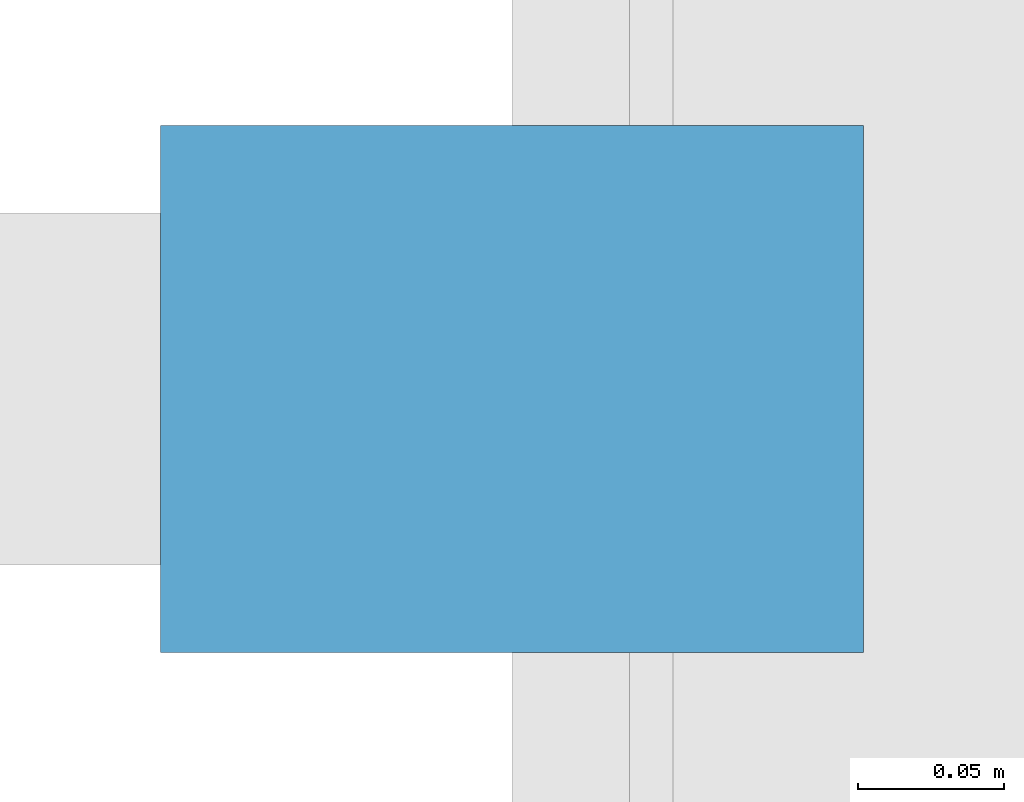
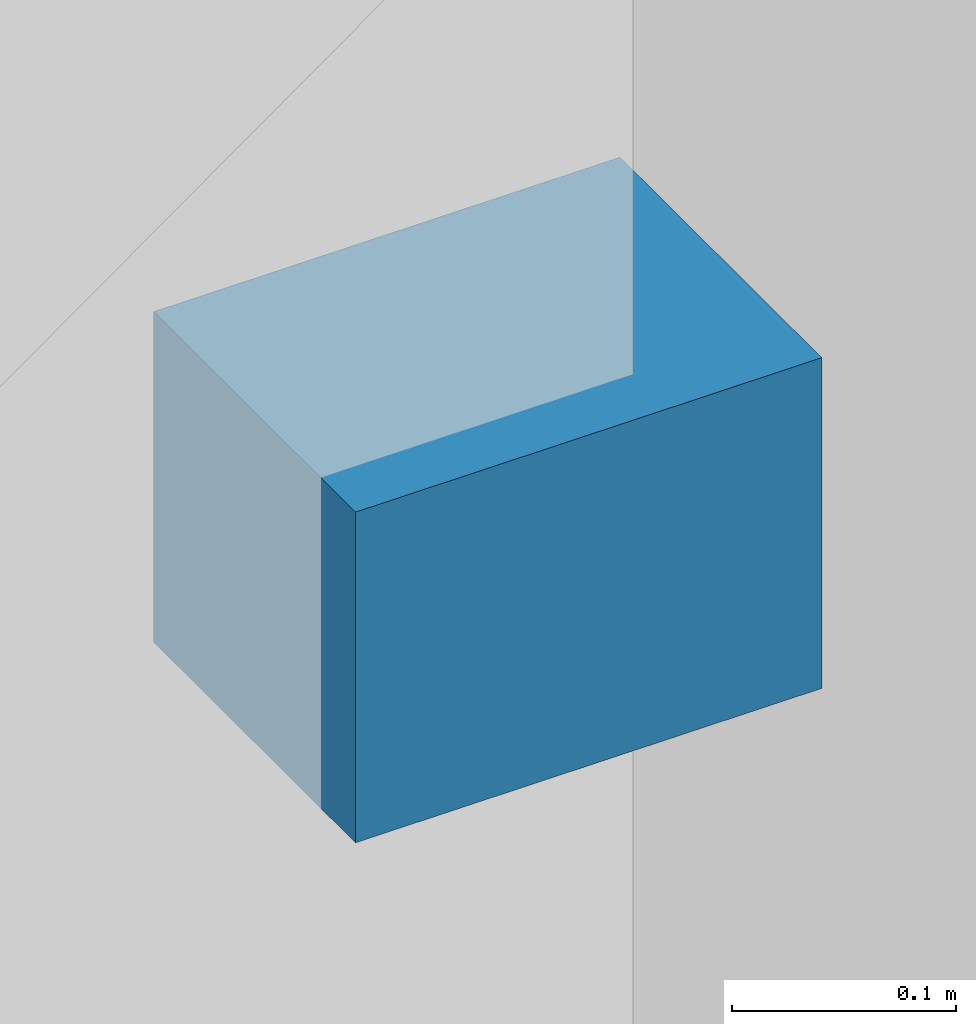
# One storey, part 76 of 99: 1 discrete accessory.
"""IFC4 building model written with IfcOpenShell, lengths in metres."""

from ifc_helpers import new_model, si_unit, direction, frame, origin, origin_2d, place, context, subcontext, project, spatial, rectangle, extrude, material, type_object, element, save


model = new_model("IFC4")

# Units and contexts
model_context = context("Model", 3, precision=1e-05, world=origin(), true_north=direction((0.0, 1.0)))
body_context = subcontext(model_context, "Body", "Model", "MODEL_VIEW")
ifc_project = project(units=[si_unit("LENGTHUNIT", "METRE"), si_unit("AREAUNIT", "SQUARE_METRE"), si_unit("VOLUMEUNIT", "CUBIC_METRE"), si_unit("PLANEANGLEUNIT", "RADIAN"), si_unit("MASSUNIT", "GRAM", prefix="KILO")], contexts=[model_context])

# Site, building, storey
site_placement = place(None, origin())
site = spatial("IfcSite", under=ifc_project, at=site_placement, CompositionType="ELEMENT")
building_placement = place(site_placement, origin())
building = spatial("IfcBuilding", under=site, at=building_placement, Name="Vesperath Aquatics Centre", CompositionType="ELEMENT")
storey_placement = place(building_placement, frame((0.0, 0.0, 5.39990234375)))
storey = spatial("IfcBuildingStorey", under=building, at=storey_placement, Name="L01", CompositionType="ELEMENT", Elevation=5.39990234375)

# Discrete accessory
ifc_material = material(Name="Stainless steel facade anchor bracket", Category="steel")
discrete_accessory_type = type_object("IfcDiscreteAccessoryType", Name="DA-BRK01", PredefinedType="BRACKET", material=ifc_material)
discrete_accessory_placement = place(storey_placement, frame((-0.22998046875, 75.60009765625, 1.91015625), z_axis=(0.0, 0.0, 1.0), x_axis=(1.0, 0.0, 0.0)))
element("IfcDiscreteAccessory", 1, at=discrete_accessory_placement, inside=storey, type_object=discrete_accessory_type, Name="Solar Fin Bracket BK01 L01_W_00_10", PredefinedType="BRACKET", context=body_context, shape_type="SweptSolid", body=[
    extrude(rectangle(XDim=0.239990234375, YDim=0.179931640625, at=origin_2d()), origin(), (0.0, 0.0, 1.0), 0.179931640625),
])

save(model, "model.ifc")
